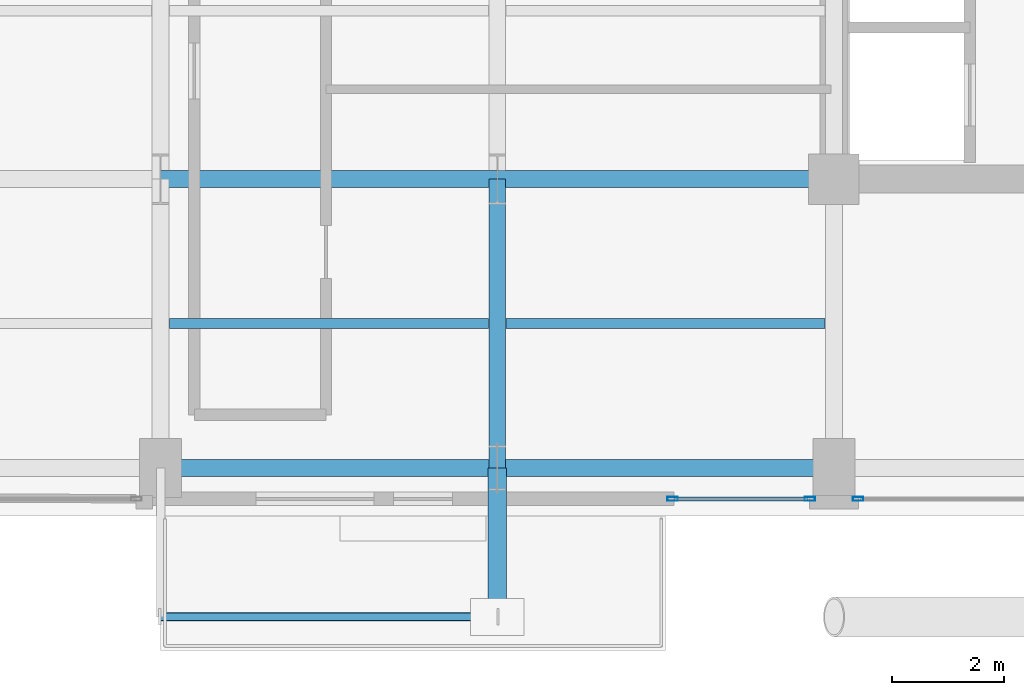
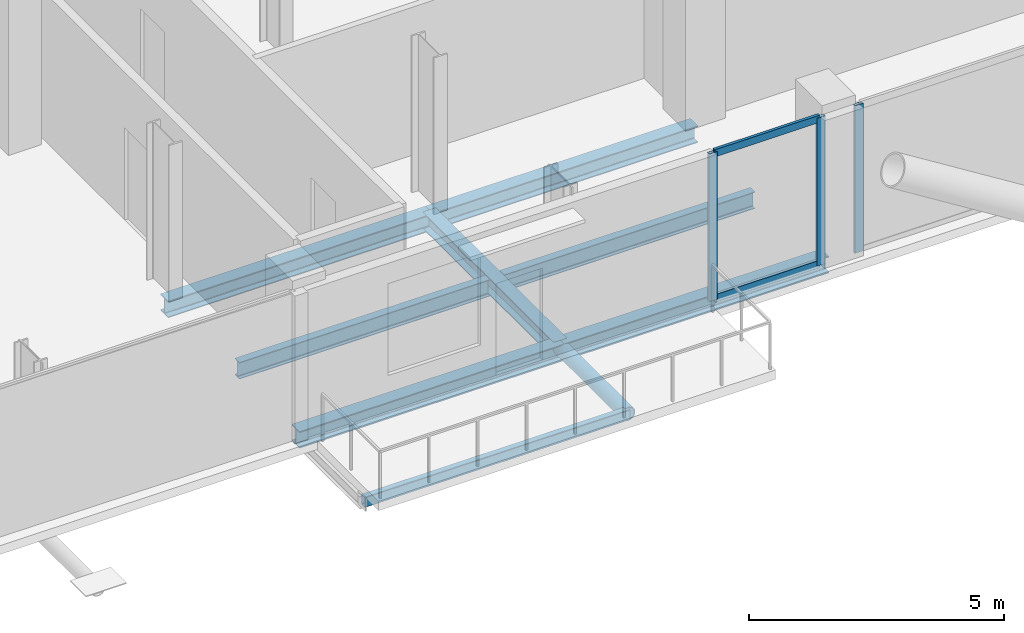
# One storey, part 4 of 21: 8 beams, 6 members, 2 elements without a shape of their own.
"""IFC4 building model written with IfcOpenShell, lengths in metres."""

from ifc_helpers import new_model, si_unit, direction, frame, origin, origin_2d, place, context, subcontext, project, spatial, hollow_rectangle, hollow_circle, i_section, extrude, material, layer, layer_set, material_profile, profile_set, type_object, element, aggregate, save


model = new_model("IFC4")

# Units and contexts
model_context = context("Model", 3, precision=1e-05, world=origin(), true_north=direction((0.0, 1.0)))
body_context = subcontext(model_context, "Body", "Model", "MODEL_VIEW")
ifc_project = project(units=[si_unit("LENGTHUNIT", "METRE"), si_unit("AREAUNIT", "SQUARE_METRE"), si_unit("VOLUMEUNIT", "CUBIC_METRE"), si_unit("PLANEANGLEUNIT", "RADIAN"), si_unit("MASSUNIT", "GRAM", prefix="KILO"), si_unit("THERMODYNAMICTEMPERATUREUNIT", "KELVIN"), si_unit("POWERUNIT", "WATT")], contexts=[model_context])

# Site, building, storey
site_placement = place(None, origin())
site = spatial("IfcSite", under=ifc_project, at=site_placement, CompositionType="ELEMENT")
building_placement = place(site_placement, origin())
building = spatial("IfcBuilding", under=site, at=building_placement, Name="Svarakhadi Broadcast Tower", CompositionType="ELEMENT")
storey_placement = place(building_placement, frame((0.0, 0.0, 219.89990234375)))
storey = spatial("IfcBuildingStorey", under=building, at=storey_placement, Name="L54", CompositionType="ELEMENT", Elevation=219.89990234375)

# Beams
ifc_material_1 = material(Name="Steel S355J2 (IS 2062 E350C)", Category="steel")
ifc_material_profile_1 = material_profile(ifc_material_1, i_section(OverallWidth=0.179931640625, OverallDepth=0.39990234375, WebThickness=0.008544921875, FlangeThickness=0.013427734375, FilletRadius=0.02099609375, at=origin_2d()), Name="NPB 400x180x66")
ifc_profile_set_1 = profile_set([ifc_material_profile_1], Name="Steel S355J2 (IS 2062 E350C)")
beam_type_1 = type_object("IfcBeamType", Name="Beam_NPB400", PredefinedType="BEAM", material=ifc_profile_set_1)
for number, where, z_axis, x_axis, name in (
    (1, (12.159912109375, 3.425048828125, -0.409912109375), (1.0, 0.0, 0.0), (0.0, 1.0, 0.0), "L54 Secondary Composite Beam SB009"),
    (2, (18.159912109375, 3.425048828125, -0.409912109375), (1.0, 0.0, 0.0), (0.0, 1.0, 0.0), "L54 Secondary Composite Beam SB013"),
):
    element("IfcBeam", number, at=place(storey_placement, frame(where, z_axis=z_axis, x_axis=x_axis)), inside=storey, type_object=beam_type_1, Name=name, PredefinedType="BEAM", context=body_context, shape_type="SweptSolid", body=[
        extrude(i_section(OverallWidth=0.179931640625, OverallDepth=0.39990234375, WebThickness=0.008544921875, FlangeThickness=0.013427734375, FilletRadius=0.02099609375, at=origin_2d()), origin(), (0.0, 0.0, 1.0), 5.68017578125),
    ])

# Curtain wall, member
ifc_material_2 = material(Name="Anodised Bronze Aluminium AA 6063-T6", Category="aluminium")
ifc_layer = layer(ifc_material_2, 0.18994140625)
ifc_layer_set = layer_set([ifc_layer], Name="Anodised Bronze Aluminium AA 6063-T6")
curtain_wall_type = type_object("IfcCurtainWallType", Name="CW_Sys_04", PredefinedType="NOTDEFINED", material=ifc_layer_set)
curtain_wall_1_placement = place(storey_placement, origin())
curtain_wall_1 = element("IfcCurtainWall", 3, at=curtain_wall_1_placement, inside=storey, type_object=curtain_wall_type, Name="L54 South Curtain Wall 16 Bay 3", PredefinedType="NOTDEFINED")
ifc_material_profile_2 = material_profile(ifc_material_2, hollow_rectangle(XDim=0.070068359375, YDim=0.18994140625, WallThickness=0.005615234375, at=origin_2d()), Name="ALU MULLION 190x70x6")
ifc_profile_set_2 = profile_set([ifc_material_profile_2], Name="Anodised Bronze Aluminium AA 6063-T6")
member_type_1 = type_object("IfcMemberType", Name="CW_Sys_04_Mul", PredefinedType="MULLION", material=ifc_profile_set_2)
member_1_placement = place(storey_placement, frame((24.429931640625, 0.300048828125, 0.0), z_axis=(0.0, 0.0, 1.0), x_axis=(0.0, -1.0, 0.0)))
member_1 = element("IfcMember", 4, at=member_1_placement, type_object=member_type_1, Name="CW-04 mullion 2", PredefinedType="MULLION", context=body_context, shape_type="SweptSolid", body=[
    extrude(hollow_rectangle(XDim=0.070068359375, YDim=0.18994140625, WallThickness=0.005615234375, at=origin_2d()), origin(), (0.0, 0.0, 1.0), 3.5400390625),
])
aggregate(curtain_wall_1, [member_1])

# Curtain wall, members
curtain_wall_2_placement = place(storey_placement, origin())
curtain_wall_2 = element("IfcCurtainWall", 5, at=curtain_wall_2_placement, inside=storey, type_object=curtain_wall_type, Name="L54 South Curtain Wall 16 Bay 4", PredefinedType="NOTDEFINED")
member_2_placement = place(storey_placement, frame((23.570068359375, 0.300048828125, 0.0), z_axis=(0.0, 0.0, 1.0), x_axis=(0.0, -1.0, 0.0)))
member_2 = element("IfcMember", 6, at=member_2_placement, type_object=member_type_1, Name="CW-04 mullion 1", PredefinedType="MULLION", context=body_context, shape_type="SweptSolid", body=[
    extrude(hollow_rectangle(XDim=0.070068359375, YDim=0.18994140625, WallThickness=0.005615234375, at=origin_2d()), origin(), (0.0, 0.0, 1.0), 3.5400390625),
])
member_3_placement = place(storey_placement, frame((21.125, 0.300048828125, 0.0), z_axis=(0.0, 0.0, 1.0), x_axis=(0.0, -1.0, 0.0)))
member_3 = element("IfcMember", 7, at=member_3_placement, type_object=member_type_1, Name="CW-04 mullion 2", PredefinedType="MULLION", context=body_context, shape_type="SweptSolid", body=[
    extrude(hollow_rectangle(XDim=0.070068359375, YDim=0.18994140625, WallThickness=0.005615234375, at=origin_2d()), origin(), (0.0, 0.0, 1.0), 3.5400390625),
])
ifc_material_profile_3 = material_profile(ifc_material_2, hollow_rectangle(XDim=0.06494140625, YDim=0.175048828125, WallThickness=0.0048828125, at=origin_2d()), Name="ALU TRANSOM 175x65x5")
ifc_profile_set_3 = profile_set([ifc_material_profile_3], Name="Anodised Bronze Aluminium AA 6063-T6")
member_type_2 = type_object("IfcMemberType", Name="CW_Sys_04_Trn", PredefinedType="USERDEFINED", material=ifc_profile_set_3)
member_4_placement = place(storey_placement, frame((23.534912109375, 0.300048828125, 0.03271484375), z_axis=(-1.0, 0.0, 0.0), x_axis=(0.0, -1.0, 0.0)))
member_4 = element("IfcMember", 8, at=member_4_placement, type_object=member_type_2, Name="CW-04 transom 1.1", ObjectType="TRANSOM", PredefinedType="USERDEFINED", context=body_context, shape_type="SweptSolid", body=[
    extrude(hollow_rectangle(XDim=0.06494140625, YDim=0.175048828125, WallThickness=0.0048828125, at=origin_2d()), origin(), (0.0, 0.0, 1.0), 2.375),
])
member_5_placement = place(storey_placement, frame((23.534912109375, 0.300048828125, 3.507568359375), z_axis=(-1.0, 0.0, 0.0), x_axis=(0.0, -1.0, 0.0)))
member_5 = element("IfcMember", 9, at=member_5_placement, type_object=member_type_2, Name="CW-04 transom 1.2", ObjectType="TRANSOM", PredefinedType="USERDEFINED", context=body_context, shape_type="SweptSolid", body=[
    extrude(hollow_rectangle(XDim=0.06494140625, YDim=0.175048828125, WallThickness=0.0048828125, at=origin_2d()), origin(), (0.0, 0.0, 1.0), 2.375),
])
aggregate(curtain_wall_2, [member_2, member_3, member_4, member_5])

# Member
ifc_material_3 = material(Name="Steel S460ML (IS 2062 E450BR)", Category="steel")
ifc_material_profile_4 = material_profile(ifc_material_3, hollow_circle(Radius=0.161865234375, WallThickness=0.01611328125, at=origin_2d()), Name="CHS 323.9x16")
ifc_profile_set_4 = profile_set([ifc_material_profile_4], Name="Steel S460ML (IS 2062 E450BR)")
member_type_3 = type_object("IfcMemberType", Name="Exo_Radial_Strut_Z2", PredefinedType="STRUT", material=ifc_profile_set_4)
member_6_placement = place(storey_placement, frame((18.0, -1.800048828125, -0.371826171875), z_axis=(0.0, 1.0, 0.0), x_axis=(-1.0, 0.0, 0.0)))
element("IfcMember", 10, at=member_6_placement, inside=storey, type_object=member_type_3, Name="L54 Exoskeleton Radial Tie Strut S02", PredefinedType="STRUT", context=body_context, shape_type="SweptSolid", body=[
    extrude(hollow_circle(Radius=0.161865234375, WallThickness=0.01611328125, at=origin_2d()), origin(), (0.0, 0.0, 1.0), 2.650146484375),
])

# Beams
ifc_material_profile_5 = material_profile(ifc_material_1, i_section(OverallWidth=0.300048828125, OverallDepth=0.39990234375, WebThickness=0.013427734375, FlangeThickness=0.02392578125, FilletRadius=0.027099609375, at=origin_2d()), Name="WPB 400x300x155")
ifc_profile_set_5 = profile_set([ifc_material_profile_5], Name="Steel S355J2 (IS 2062 E350C)")
beam_type_2 = type_object("IfcBeamType", Name="Girder_WPB400", PredefinedType="USERDEFINED", material=ifc_profile_set_5)
for number, where, z_axis, x_axis, name in (
    (11, (12.0, 0.85009765625, -0.409912109375), (1.0, 0.0, 0.0), (0.0, 1.0, 0.0), "L54 Primary E-W Girder G005"),
    (12, (18.0, 0.85009765625, -0.409912109375), (1.0, 0.0, 0.0), (0.0, 1.0, 0.0), "L54 Primary E-W Girder G006"),
    (13, (12.0, 6.0, -0.409912109375), (1.0, 0.0, 0.0), (0.0, 1.0, 0.0), "L54 Primary E-W Girder G011"),
    (14, (18.0, 6.0, -0.409912109375), (1.0, 0.0, 0.0), (0.0, 1.0, 0.0), "L54 Primary E-W Girder G012"),
):
    element("IfcBeam", number, at=place(storey_placement, frame(where, z_axis=z_axis, x_axis=x_axis)), inside=storey, type_object=beam_type_2, Name=name, ObjectType="GIRDER", PredefinedType="USERDEFINED", context=body_context, shape_type="SweptSolid", body=[
        extrude(i_section(OverallWidth=0.300048828125, OverallDepth=0.39990234375, WebThickness=0.013427734375, FlangeThickness=0.02392578125, FilletRadius=0.027099609375, at=origin_2d()), origin(), (0.0, 0.0, 1.0), 6.0),
    ])
beam_1_placement = place(storey_placement, frame((18.0, 0.85009765625, -0.409912109375), z_axis=(0.0, 1.0, 0.0), x_axis=(-1.0, 0.0, 0.0)))
element("IfcBeam", 15, at=beam_1_placement, inside=storey, type_object=beam_type_2, Name="L54 Primary N-S Girder G046", ObjectType="GIRDER", PredefinedType="USERDEFINED", context=body_context, shape_type="SweptSolid", body=[
    extrude(i_section(OverallWidth=0.300048828125, OverallDepth=0.39990234375, WebThickness=0.013427734375, FlangeThickness=0.02392578125, FilletRadius=0.027099609375, at=origin_2d()), origin(), (0.0, 0.0, 1.0), 5.14990234375),
])
ifc_material_profile_6 = material_profile(ifc_material_3, hollow_rectangle(XDim=0.14990234375, YDim=0.25, WallThickness=0.010009765625, InnerFilletRadius=0.010009765625, OuterFilletRadius=0.02001953125, at=origin_2d()), Name="RHS 250x150x10")
ifc_profile_set_6 = profile_set([ifc_material_profile_6], Name="Steel S460ML (IS 2062 E450BR)")
beam_type_3 = type_object("IfcBeamType", Name="Spandrel_RHS250", PredefinedType="SPANDREL", material=ifc_profile_set_6)
beam_2_placement = place(storey_placement, frame((12.0, -1.800048828125, -0.349853515625), z_axis=(1.0, 0.0, 0.0), x_axis=(0.0, 1.0, 0.0)))
element("IfcBeam", 16, at=beam_2_placement, inside=storey, type_object=beam_type_3, Name="L54 Balcony Outer Spandrel 1F", PredefinedType="SPANDREL", context=body_context, shape_type="SweptSolid", body=[
    extrude(hollow_rectangle(XDim=0.14990234375, YDim=0.25, WallThickness=0.010009765625, InnerFilletRadius=0.010009765625, OuterFilletRadius=0.02001953125, at=origin_2d()), origin(), (0.0, 0.0, 1.0), 6.0),
])

save(model, "model.ifc")
